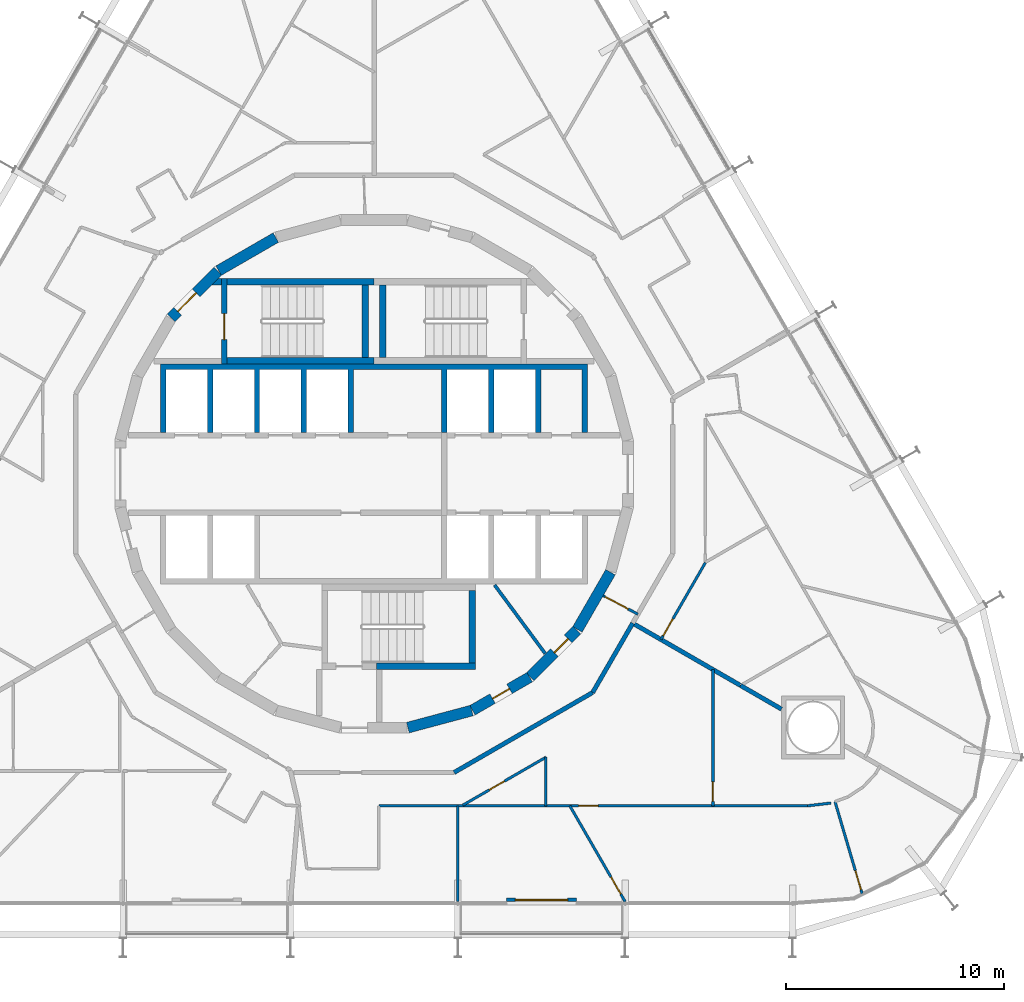
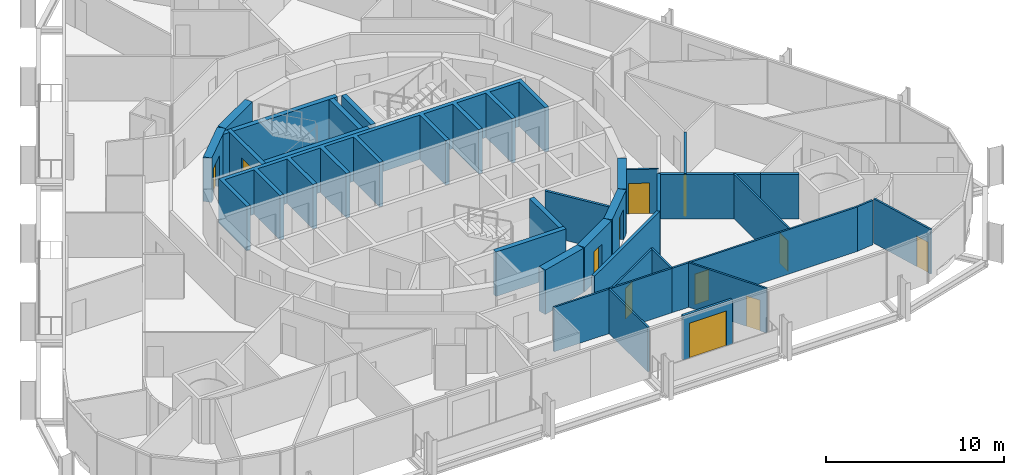
# One storey, part 15 of 20: 32 walls, 12 doors, 12 openings.
"""IFC4 building model written with IfcOpenShell, lengths in metres."""

from ifc_helpers import new_model, si_unit, direction, frame, frame_2d, origin, place, context, subcontext, project, spatial, polyline, rectangle, outline, extrude, material, layer, layer_set, type_object, element, fill, save


model = new_model("IFC4")

# Units and contexts
model_context = context("Model", 3, precision=1e-05, world=origin(), true_north=direction((0.0, 1.0)))
body_context = subcontext(model_context, "Body", "Model", "MODEL_VIEW")
ifc_project = project(units=[si_unit("LENGTHUNIT", "METRE"), si_unit("AREAUNIT", "SQUARE_METRE"), si_unit("VOLUMEUNIT", "CUBIC_METRE"), si_unit("PLANEANGLEUNIT", "RADIAN"), si_unit("MASSUNIT", "GRAM", prefix="KILO")], contexts=[model_context])

# Site, building, storey
site_placement = place(None, origin())
site = spatial("IfcSite", under=ifc_project, at=site_placement, CompositionType="ELEMENT")
building_placement = place(site_placement, origin())
building = spatial("IfcBuilding", under=site, at=building_placement, Name="Spindle Arch Residences", CompositionType="ELEMENT")
storey_placement = place(building_placement, frame((0.0, 0.0, 66.39990234375)))
storey = spatial("IfcBuildingStorey", under=building, at=storey_placement, Name="L15", CompositionType="ELEMENT", Elevation=66.39990234375)

# Wall
ifc_material_1 = material(Name="Concrete C50/60", Category="concrete")
ifc_layer_1 = layer(ifc_material_1, 0.5)
ifc_layer_set_1 = layer_set([ifc_layer_1], Name="Core outline wall 500")
wall_type_1 = type_object("IfcWallType", Name="Core outline wall 500", PredefinedType="SHEAR", material=ifc_layer_set_1)
wall_1_placement = place(storey_placement, frame((1.5498046875, -11.642822265625, 0.0), z_axis=(0.0, 0.0, 1.0), x_axis=(0.965948410781, 0.258734743916, 0.0)))
element("IfcWall", 1, at=wall_1_placement, inside=storey, type_object=wall_type_1, Name="Core outline wall 1", PredefinedType="SHEAR", context=body_context, shape_type="SweptSolid", body=[
    extrude(rectangle(XDim=3.03271484375, YDim=0.5, at=frame_2d((1.516357421875, 0.0))), origin(), (0.0, 0.0, 1.0), 3.050048828125),
])

# Wall, opening, door
wall_2_placement = place(storey_placement, frame((4.510498046875, -10.84521484375, 0.0), z_axis=(0.0, 0.0, 1.0), x_axis=(0.865975092491, 0.500087131594, 0.0)))
wall_2 = element("IfcWall", 2, at=wall_2_placement, inside=storey, type_object=wall_type_1, Name="Core outline wall 2", PredefinedType="SHEAR", context=body_context, shape_type="SweptSolid", body=[
    extrude(rectangle(XDim=3.03271484375, YDim=0.5, at=frame_2d((1.516357421875, 0.0))), origin(), (0.0, 0.0, 1.0), 3.050048828125),
])
opening_1_placement = place(wall_2_placement, frame((1.06640625, 0.0, 0.0)))
opening_1 = element("IfcOpeningElement", 3, at=opening_1_placement, cuts=wall_2, Name="Opening R1C0-WD06", PredefinedType="OPENING", context=body_context, shape_type="SweptSolid", body=[
    extrude(rectangle(XDim=0.89990234375, YDim=2.10009765625, at=frame_2d((0.449951171875, 1.050048828125))), frame((0.0, 0.260009765625, 0.0), z_axis=(0.0, -1.0, 0.0), x_axis=(1.0, 0.0, 0.0)), (0.0, 0.0, 1.0), 0.52001953125),
])
ifc_material_2 = material(Name="Steel, fire-resisting door", Category="steel")
door_type_1 = type_object("IfcDoorType", Name="Service room door 900x2100", OperationType="SINGLE_SWING_LEFT", PredefinedType="DOOR", material=ifc_material_2)
door_1_placement = place(opening_1_placement, origin())
door_1 = element("IfcDoor", 4, at=door_1_placement, inside=storey, type_object=door_type_1, Name="Service room door R1C0-WD06", OperationType="SINGLE_SWING_LEFT", OverallHeight=2.10009765625, OverallWidth=0.89990234375, PredefinedType="DOOR", context=body_context, shape_type="SweptSolid", body=[
    extrude(rectangle(XDim=0.89990234375, YDim=2.10009765625, at=frame_2d((0.449951171875, 1.050048828125))), frame((0.0, 0.02490234375, 0.0), z_axis=(0.0, -1.0, 0.0), x_axis=(1.0, 0.0, 0.0)), (0.0, 0.0, 1.0), 0.050048828125),
])
fill(opening_1, door_1)

wall_3_placement = place(storey_placement, frame((7.163818359375, -9.30810546875, 0.0), z_axis=(0.0, 0.0, 1.0), x_axis=(0.707106781187, 0.707106781187, 0.0)))
wall_3 = element("IfcWall", 5, at=wall_3_placement, inside=storey, type_object=wall_type_1, Name="Core outline wall 3", PredefinedType="SHEAR", context=body_context, shape_type="SweptSolid", body=[
    extrude(rectangle(XDim=3.032470703125, YDim=0.5, at=frame_2d((1.51611328125, 0.0))), origin(), (0.0, 0.0, 1.0), 3.050048828125),
])
opening_2_placement = place(wall_3_placement, frame((1.56640625, 0.0, 0.0)))
opening_2 = element("IfcOpeningElement", 6, at=opening_2_placement, cuts=wall_3, Name="Opening R1C0-WD07", PredefinedType="OPENING", context=body_context, shape_type="SweptSolid", body=[
    extrude(rectangle(XDim=0.89990234375, YDim=2.10009765625, at=frame_2d((0.449951171875, 1.050048828125))), frame((0.0, 0.260009765625, 0.0), z_axis=(0.0, -1.0, 0.0), x_axis=(1.0, 0.0, 0.0)), (0.0, 0.0, 1.0), 0.52001953125),
])
door_2_placement = place(opening_2_placement, origin())
door_2 = element("IfcDoor", 7, at=door_2_placement, inside=storey, type_object=door_type_1, Name="Service room door R1C0-WD07", OperationType="SINGLE_SWING_RIGHT", OverallHeight=2.10009765625, OverallWidth=0.89990234375, PredefinedType="DOOR", context=body_context, shape_type="SweptSolid", body=[
    extrude(rectangle(XDim=0.89990234375, YDim=2.10009765625, at=frame_2d((0.449951171875, 1.050048828125))), frame((0.0, 0.02490234375, 0.0), z_axis=(0.0, -1.0, 0.0), x_axis=(1.0, 0.0, 0.0)), (0.0, 0.0, 1.0), 0.050048828125),
])
fill(opening_2, door_2)

# Walls
for number, where, z_axis, x_axis, name in (
    (8, (9.32861328125, -7.13671875, 0.0), (0.0, 0.0, 1.0), (0.500087131594, 0.865975092491, 0.0), "Core outline wall 4"),
    (9, (-4.510498046875, 10.84521484375, 0.0), (0.0, 0.0, 1.0), (-0.865975092491, -0.500087131594, 0.0), "Core outline wall 14"),
):
    element("IfcWall", number, at=place(storey_placement, frame(where, z_axis=z_axis, x_axis=x_axis)), inside=storey, type_object=wall_type_1, Name=name, PredefinedType="SHEAR", context=body_context, shape_type="SweptSolid", body=[
        extrude(rectangle(XDim=3.03271484375, YDim=0.5, at=frame_2d((1.516357421875, 0.0))), origin(), (0.0, 0.0, 1.0), 3.050048828125),
    ])

# Wall, opening, door
wall_4_placement = place(storey_placement, frame((-7.163818359375, 9.30810546875, 0.0), z_axis=(0.0, 0.0, 1.0), x_axis=(-0.707106781187, -0.707106781187, 0.0)))
wall_4 = element("IfcWall", 10, at=wall_4_placement, inside=storey, type_object=wall_type_1, Name="Core outline wall 15", PredefinedType="SHEAR", context=body_context, shape_type="SweptSolid", body=[
    extrude(rectangle(XDim=3.032470703125, YDim=0.5, at=frame_2d((1.51611328125, 0.0))), origin(), (0.0, 0.0, 1.0), 3.050048828125),
])
opening_3_placement = place(wall_4_placement, frame((1.416259765625, 0.0, 0.0)))
opening_3 = element("IfcOpeningElement", 11, at=opening_3_placement, cuts=wall_4, Name="Opening R1C0-AD02", PredefinedType="OPENING", context=body_context, shape_type="SweptSolid", body=[
    extrude(rectangle(XDim=1.199951171875, YDim=2.10009765625, at=frame_2d((0.60009765625, 1.050048828125))), frame((0.0, 0.260009765625, 0.0), z_axis=(0.0, -1.0, 0.0), x_axis=(1.0, 0.0, 0.0)), (0.0, 0.0, 1.0), 0.52001953125),
])
ifc_material_3 = material(Name="Steel, fire-resisting door", Category="steel")
door_type_2 = type_object("IfcDoorType", Name="Stair airlock door 1200x2100", OperationType="SINGLE_SWING_LEFT", PredefinedType="DOOR", material=ifc_material_3)
door_3_placement = place(opening_3_placement, origin())
door_3 = element("IfcDoor", 12, at=door_3_placement, inside=storey, type_object=door_type_2, Name="Stair airlock door R1C0-AD02", OperationType="SINGLE_SWING_RIGHT", OverallHeight=2.10009765625, OverallWidth=1.199951171875, PredefinedType="DOOR", context=body_context, shape_type="SweptSolid", body=[
    extrude(rectangle(XDim=1.199951171875, YDim=2.10009765625, at=frame_2d((0.60009765625, 1.050048828125))), frame((0.0, 0.02490234375, 0.0), z_axis=(0.0, -1.0, 0.0), x_axis=(1.0, 0.0, 0.0)), (0.0, 0.0, 1.0), 0.050048828125),
])
fill(opening_3, door_3)

ifc_material_4 = material(Name="Plasterboard on steel studs", Category="steel")
ifc_layer_2 = layer(ifc_material_4, 0.1201171875)
ifc_layer_set_2 = layer_set([ifc_layer_2], Name="Corridor division wall 120")
wall_type_2 = type_object("IfcWallType", Name="Corridor division wall 120", PredefinedType="PARTITIONING", material=ifc_layer_set_2)
wall_5_placement = place(storey_placement, frame((10.510986328125, -5.5888671875, 0.0), z_axis=(0.0, 0.0, 1.0), x_axis=(0.88294043061, -0.469485032769, 0.0)))
wall_5 = element("IfcWall", 13, at=wall_5_placement, inside=storey, type_object=wall_type_2, Name="Corridor division wall R1C0-W002", PredefinedType="PARTITIONING", context=body_context, shape_type="SweptSolid", body=[
    extrude(rectangle(XDim=1.803955078125, YDim=0.1201171875, at=frame_2d((0.90185546875, 0.0))), origin(), (0.0, 0.0, 1.0), 3.050048828125),
])
opening_4_placement = place(wall_5_placement, frame((0.10009765625, 0.0, 0.0)))
opening_4 = element("IfcOpeningElement", 14, at=opening_4_placement, cuts=wall_5, Name="Opening R1C0-CD02", PredefinedType="OPENING", context=body_context, shape_type="SweptSolid", body=[
    extrude(rectangle(XDim=1.199951171875, YDim=2.10009765625, at=frame_2d((0.60009765625, 1.050048828125))), frame((0.0, 0.070068359375, 0.0), z_axis=(0.0, -1.0, 0.0), x_axis=(1.0, 0.0, 0.0)), (0.0, 0.0, 1.0), 0.14013671875),
])
ifc_material_5 = material(Name="Steel, fire-resisting door", Category="steel")
door_type_3 = type_object("IfcDoorType", Name="Corridor division door 1200x2100", OperationType="NOTDEFINED", PredefinedType="DOOR", material=ifc_material_5)
door_4_placement = place(opening_4_placement, origin())
door_4 = element("IfcDoor", 15, at=door_4_placement, inside=storey, type_object=door_type_3, Name="Corridor division door R1C0-CD02", OperationType="DOUBLE_DOOR_SINGLE_SWING", OverallHeight=2.10009765625, OverallWidth=1.199951171875, PredefinedType="DOOR", context=body_context, shape_type="SweptSolid", body=[
    extrude(rectangle(XDim=1.199951171875, YDim=2.10009765625, at=frame_2d((0.60009765625, 1.050048828125))), frame((0.0, 0.02490234375, 0.0), z_axis=(0.0, -1.0, 0.0), x_axis=(1.0, 0.0, 0.0)), (0.0, 0.0, 1.0), 0.050048828125),
])
fill(opening_4, door_4)

# Walls
ifc_material_6 = material(Name="Calcium silicate block, plastered")
ifc_layer_3 = layer(ifc_material_6, 0.199951171875)
ifc_layer_set_3 = layer_set([ifc_layer_3], Name="Corridor wall 200")
wall_type_3 = type_object("IfcWallType", Name="Corridor wall 200", PredefinedType="STANDARD", material=ifc_layer_set_3)
wall_6_placement = place(storey_placement, frame((3.6708984375, -13.699951171875, 0.0), z_axis=(0.0, 0.0, 1.0), x_axis=(0.866024439905, 0.500001669485, 0.0)))
element("IfcWall", 16, at=wall_6_placement, inside=storey, type_object=wall_type_3, Name="Corridor wall R1C0-W015", PredefinedType="STANDARD", context=body_context, shape_type="SweptSolid", body=[
    extrude(rectangle(XDim=7.341796875, YDim=0.199951171875, at=frame_2d((3.6708984375, 0.0))), origin(), (0.0, 0.0, 1.0), 3.050048828125),
])
wall_7_placement = place(storey_placement, frame((10.029052734375, -10.029052734375, 0.0), z_axis=(0.0, 0.0, 1.0), x_axis=(0.50001606911, 0.866016126081, 0.0)))
element("IfcWall", 17, at=wall_7_placement, inside=storey, type_object=wall_type_3, Name="Corridor wall R1C0-W016", PredefinedType="STANDARD", context=body_context, shape_type="SweptSolid", body=[
    extrude(rectangle(XDim=3.6708984375, YDim=0.199951171875, at=frame_2d((1.83544921875, 0.0))), origin(), (0.0, 0.0, 1.0), 3.050048828125),
])
ifc_material_7 = material(Name="Plasterboard on steel studs", Category="steel")
ifc_layer_4 = layer(ifc_material_7, 0.1201171875)
ifc_layer_set_4 = layer_set([ifc_layer_4], Name="Flat partition 120")
wall_type_4 = type_object("IfcWallType", Name="Flat partition 120", PredefinedType="PARTITIONING", material=ifc_layer_set_4)
wall_8_placement = place(storey_placement, frame((0.21484375, -15.22998046875, 0.0), z_axis=(0.0, 0.0, 1.0), x_axis=(1.0, 0.0, 0.0)))
element("IfcWall", 18, at=wall_8_placement, inside=storey, type_object=wall_type_4, Name="Flat partition R1C0-W099", PredefinedType="PARTITIONING", context=body_context, shape_type="SweptSolid", body=[
    extrude(rectangle(XDim=7.66650390625, YDim=0.1201171875, at=frame_2d((3.833251953125, 0.0))), origin(), (0.0, 0.0, 1.0), 3.050048828125),
])

# Wall, opening, door
wall_9_placement = place(storey_placement, frame((7.88134765625, -15.22998046875, 0.0), z_axis=(0.0, 0.0, 1.0), x_axis=(1.0, 0.0, 0.0)))
wall_9 = element("IfcWall", 19, at=wall_9_placement, inside=storey, type_object=wall_type_4, Name="Flat partition R1C0-W100", PredefinedType="PARTITIONING", context=body_context, shape_type="SweptSolid", body=[
    extrude(rectangle(XDim=12.006103515625, YDim=0.1201171875, at=frame_2d((6.0029296875, 0.0))), origin(), (0.0, 0.0, 1.0), 3.050048828125),
])
opening_5_placement = place(wall_9_placement, frame((1.49853515625, 0.0, 0.0)))
opening_5 = element("IfcOpeningElement", 20, at=opening_5_placement, cuts=wall_9, Name="Opening R1C0-ID25", PredefinedType="OPENING", context=body_context, shape_type="SweptSolid", body=[
    extrude(rectangle(XDim=0.89990234375, YDim=2.10009765625, at=frame_2d((0.449951171875, 1.050048828125))), frame((0.0, 0.070068359375, 0.0), z_axis=(0.0, -1.0, 0.0), x_axis=(1.0, 0.0, 0.0)), (0.0, 0.0, 1.0), 0.14013671875),
])
ifc_material_8 = material(Name="Timber door set", Category="wood")
door_type_4 = type_object("IfcDoorType", Name="Room door 900x2100", OperationType="NOTDEFINED", PredefinedType="DOOR", material=ifc_material_8)
door_5_placement = place(opening_5_placement, origin())
door_5 = element("IfcDoor", 21, at=door_5_placement, inside=storey, type_object=door_type_4, Name="Room door R1C0-ID25", OperationType="SINGLE_SWING_RIGHT", OverallHeight=2.10009765625, OverallWidth=0.89990234375, PredefinedType="DOOR", context=body_context, shape_type="SweptSolid", body=[
    extrude(rectangle(XDim=0.89990234375, YDim=2.10009765625, at=frame_2d((0.449951171875, 1.050048828125))), frame((0.0, 0.02490234375, 0.0), z_axis=(0.0, -1.0, 0.0), x_axis=(1.0, 0.0, 0.0)), (0.0, 0.0, 1.0), 0.050048828125),
])
fill(opening_5, door_5)

wall_10_placement = place(storey_placement, frame((4.07275390625, -15.199951171875, 0.0), z_axis=(0.0, 0.0, 1.0), x_axis=(0.866041369968, 0.499972344739, 0.0)))
wall_10 = element("IfcWall", 22, at=wall_10_placement, inside=storey, type_object=wall_type_4, Name="Flat partition R1C0-W101", PredefinedType="PARTITIONING", context=body_context, shape_type="SweptSolid", body=[
    extrude(rectangle(XDim=4.397705078125, YDim=0.1201171875, at=frame_2d((2.19873046875, 0.0))), origin(), (0.0, 0.0, 1.0), 3.050048828125),
])
opening_6_placement = place(wall_10_placement, frame((1.39990234375, 0.0, 0.0)))
opening_6 = element("IfcOpeningElement", 23, at=opening_6_placement, cuts=wall_10, Name="Opening R1C0-BD06", PredefinedType="OPENING", context=body_context, shape_type="SweptSolid", body=[
    extrude(rectangle(XDim=0.800048828125, YDim=2.10009765625, at=frame_2d((0.39990234375, 1.050048828125))), frame((0.0, 0.070068359375, 0.0), z_axis=(0.0, -1.0, 0.0), x_axis=(1.0, 0.0, 0.0)), (0.0, 0.0, 1.0), 0.14013671875),
])
ifc_material_9 = material(Name="Timber door set", Category="wood")
door_type_5 = type_object("IfcDoorType", Name="Bathroom door 800x2100", OperationType="NOTDEFINED", PredefinedType="DOOR", material=ifc_material_9)
door_6_placement = place(opening_6_placement, origin())
door_6 = element("IfcDoor", 24, at=door_6_placement, inside=storey, type_object=door_type_5, Name="Bathroom door R1C0-BD06", OperationType="SINGLE_SWING_RIGHT", OverallHeight=2.10009765625, OverallWidth=0.800048828125, PredefinedType="DOOR", context=body_context, shape_type="SweptSolid", body=[
    extrude(rectangle(XDim=0.800048828125, YDim=2.10009765625, at=frame_2d((0.39990234375, 1.050048828125))), frame((0.0, 0.02490234375, 0.0), z_axis=(0.0, -1.0, 0.0), x_axis=(1.0, 0.0, 0.0)), (0.0, 0.0, 1.0), 0.050048828125),
])
fill(opening_6, door_6)

# Wall
wall_11_placement = place(storey_placement, frame((7.88134765625, -13.001220703125, 0.0), z_axis=(0.0, 0.0, 1.0), x_axis=(0.0, -1.0, 0.0)))
element("IfcWall", 25, at=wall_11_placement, inside=storey, type_object=wall_type_4, Name="Flat partition R1C0-W102", PredefinedType="PARTITIONING", context=body_context, shape_type="SweptSolid", body=[
    extrude(rectangle(XDim=2.228759765625, YDim=0.1201171875, at=frame_2d((1.1142578125, 0.0))), origin(), (0.0, 0.0, 1.0), 3.050048828125),
])

# Wall, opening, door
wall_12_placement = place(storey_placement, frame((15.5478515625, -15.22998046875, 0.0), z_axis=(0.0, 0.0, 1.0), x_axis=(0.0, 1.0, 0.0)))
wall_12 = element("IfcWall", 26, at=wall_12_placement, inside=storey, type_object=wall_type_4, Name="Flat partition R1C0-W103", PredefinedType="PARTITIONING", context=body_context, shape_type="SweptSolid", body=[
    extrude(rectangle(XDim=6.25341796875, YDim=0.1201171875, at=frame_2d((3.126708984375, 0.0))), origin(), (0.0, 0.0, 1.0), 3.050048828125),
])
opening_7_placement = place(wall_12_placement, frame((0.199951171875, 0.0, 0.0)))
opening_7 = element("IfcOpeningElement", 27, at=opening_7_placement, cuts=wall_12, Name="Opening R1C0-ID26", PredefinedType="OPENING", context=body_context, shape_type="SweptSolid", body=[
    extrude(rectangle(XDim=0.89990234375, YDim=2.10009765625, at=frame_2d((0.449951171875, 1.050048828125))), frame((0.0, 0.070068359375, 0.0), z_axis=(0.0, -1.0, 0.0), x_axis=(1.0, 0.0, 0.0)), (0.0, 0.0, 1.0), 0.14013671875),
])
door_7_placement = place(opening_7_placement, origin())
door_7 = element("IfcDoor", 28, at=door_7_placement, inside=storey, type_object=door_type_4, Name="Room door R1C0-ID26", OperationType="SINGLE_SWING_RIGHT", OverallHeight=2.10009765625, OverallWidth=0.89990234375, PredefinedType="DOOR", context=body_context, shape_type="SweptSolid", body=[
    extrude(rectangle(XDim=0.89990234375, YDim=2.10009765625, at=frame_2d((0.449951171875, 1.050048828125))), frame((0.0, 0.02490234375, 0.0), z_axis=(0.0, -1.0, 0.0), x_axis=(1.0, 0.0, 0.0)), (0.0, 0.0, 1.0), 0.050048828125),
])
fill(opening_7, door_7)

# Wall
wall_13_placement = place(storey_placement, frame((3.840087890625, -19.6298828125, 0.0), z_axis=(0.0, 0.0, 1.0), x_axis=(0.0, 1.0, 0.0)))
element("IfcWall", 29, at=wall_13_placement, inside=storey, type_object=wall_type_4, Name="Flat partition R1C0-W104", PredefinedType="PARTITIONING", context=body_context, shape_type="SweptSolid", body=[
    extrude(rectangle(XDim=4.39990234375, YDim=0.1201171875, at=frame_2d((2.199951171875, 0.0))), origin(), (0.0, 0.0, 1.0), 3.050048828125),
])

# Wall, opening, door
wall_14_placement = place(storey_placement, frame((11.52001953125, -19.6298828125, 0.0), z_axis=(0.0, 0.0, 1.0), x_axis=(-0.499999763888, 0.866025540104, 0.0)))
wall_14 = element("IfcWall", 30, at=wall_14_placement, inside=storey, type_object=wall_type_4, Name="Flat partition R1C0-W105", PredefinedType="PARTITIONING", context=body_context, shape_type="SweptSolid", body=[
    extrude(rectangle(XDim=5.08056640625, YDim=0.1201171875, at=frame_2d((2.540283203125, 0.0))), origin(), (0.0, 0.0, 1.0), 3.050048828125),
])
opening_8_placement = place(wall_14_placement, frame((0.39990234375, 0.0, 0.0)))
opening_8 = element("IfcOpeningElement", 31, at=opening_8_placement, cuts=wall_14, Name="Opening R1C0-ID27", PredefinedType="OPENING", context=body_context, shape_type="SweptSolid", body=[
    extrude(rectangle(XDim=0.89990234375, YDim=2.10009765625, at=frame_2d((0.449951171875, 1.050048828125))), frame((0.0, 0.070068359375, 0.0), z_axis=(0.0, -1.0, 0.0), x_axis=(1.0, 0.0, 0.0)), (0.0, 0.0, 1.0), 0.14013671875),
])
door_8_placement = place(opening_8_placement, origin())
door_8 = element("IfcDoor", 32, at=door_8_placement, inside=storey, type_object=door_type_4, Name="Room door R1C0-ID27", OperationType="SINGLE_SWING_LEFT", OverallHeight=2.10009765625, OverallWidth=0.89990234375, PredefinedType="DOOR", context=body_context, shape_type="SweptSolid", body=[
    extrude(rectangle(XDim=0.89990234375, YDim=2.10009765625, at=frame_2d((0.449951171875, 1.050048828125))), frame((0.0, 0.02490234375, 0.0), z_axis=(0.0, -1.0, 0.0), x_axis=(1.0, 0.0, 0.0)), (0.0, 0.0, 1.0), 0.050048828125),
])
fill(opening_8, door_8)

# Wall
wall_15_placement = place(storey_placement, frame((20.966796875, -15.103759765625, 0.0), z_axis=(0.0, 0.0, 1.0), x_axis=(-0.993231641151, -0.116150363826, 0.0)))
element("IfcWall", 33, at=wall_15_placement, inside=storey, type_object=wall_type_4, Name="Flat partition R1C0-W106", PredefinedType="PARTITIONING", context=body_context, shape_type="SweptSolid", body=[
    extrude(rectangle(XDim=1.086669921875, YDim=0.1201171875, at=frame_2d((0.54345703125, 0.0))), origin(), (0.0, 0.0, 1.0), 3.050048828125),
])

# Wall, opening, door
wall_16_placement = place(storey_placement, frame((22.395751953125, -19.26611328125, 0.0), z_axis=(0.0, 0.0, 1.0), x_axis=(-0.282873823334, 0.959157130022, 0.0)))
wall_16 = element("IfcWall", 34, at=wall_16_placement, inside=storey, type_object=wall_type_4, Name="Flat partition R1C0-W107", PredefinedType="PARTITIONING", context=body_context, shape_type="SweptSolid", body=[
    extrude(rectangle(XDim=4.40869140625, YDim=0.1201171875, at=frame_2d((2.204345703125, 0.0))), origin(), (0.0, 0.0, 1.0), 3.050048828125),
])
opening_9_placement = place(wall_16_placement, frame((0.199951171875, 0.0, 0.0)))
opening_9 = element("IfcOpeningElement", 35, at=opening_9_placement, cuts=wall_16, Name="Opening R1C0-ID28", PredefinedType="OPENING", context=body_context, shape_type="SweptSolid", body=[
    extrude(rectangle(XDim=0.89990234375, YDim=2.10009765625, at=frame_2d((0.449951171875, 1.050048828125))), frame((0.0, 0.070068359375, 0.0), z_axis=(0.0, -1.0, 0.0), x_axis=(1.0, 0.0, 0.0)), (0.0, 0.0, 1.0), 0.14013671875),
])
door_9_placement = place(opening_9_placement, origin())
door_9 = element("IfcDoor", 36, at=door_9_placement, inside=storey, type_object=door_type_4, Name="Room door R1C0-ID28", OperationType="SINGLE_SWING_RIGHT", OverallHeight=2.10009765625, OverallWidth=0.89990234375, PredefinedType="DOOR", context=body_context, shape_type="SweptSolid", body=[
    extrude(rectangle(XDim=0.89990234375, YDim=2.10009765625, at=frame_2d((0.449951171875, 1.050048828125))), frame((0.0, 0.02490234375, 0.0), z_axis=(0.0, -1.0, 0.0), x_axis=(1.0, 0.0, 0.0)), (0.0, 0.0, 1.0), 0.050048828125),
])
fill(opening_9, door_9)

wall_17_placement = place(storey_placement, frame((13.16357421875, -7.60009765625, 0.0), z_axis=(0.0, 0.0, 1.0), x_axis=(0.499974973053, 0.866039852617, 0.0)))
wall_17 = element("IfcWall", 37, at=wall_17_placement, inside=storey, type_object=wall_type_4, Name="Flat partition R1C0-W114", PredefinedType="PARTITIONING", context=body_context, shape_type="SweptSolid", body=[
    extrude(rectangle(XDim=4.072998046875, YDim=0.1201171875, at=frame_2d((2.03662109375, 0.0))), origin(), (0.0, 0.0, 1.0), 3.050048828125),
])
opening_10_placement = place(wall_17_placement, frame((0.199951171875, 0.0, 0.0)))
opening_10 = element("IfcOpeningElement", 38, at=opening_10_placement, cuts=wall_17, Name="Opening R1C0-ID30", PredefinedType="OPENING", context=body_context, shape_type="SweptSolid", body=[
    extrude(rectangle(XDim=0.89990234375, YDim=2.10009765625, at=frame_2d((0.449951171875, 1.050048828125))), frame((0.0, 0.070068359375, 0.0), z_axis=(0.0, -1.0, 0.0), x_axis=(1.0, 0.0, 0.0)), (0.0, 0.0, 1.0), 0.14013671875),
])
door_10_placement = place(opening_10_placement, origin())
door_10 = element("IfcDoor", 39, at=door_10_placement, inside=storey, type_object=door_type_4, Name="Room door R1C0-ID30", OperationType="SINGLE_SWING_LEFT", OverallHeight=2.10009765625, OverallWidth=0.89990234375, PredefinedType="DOOR", context=body_context, shape_type="SweptSolid", body=[
    extrude(rectangle(XDim=0.89990234375, YDim=2.10009765625, at=frame_2d((0.449951171875, 1.050048828125))), frame((0.0, 0.02490234375, 0.0), z_axis=(0.0, -1.0, 0.0), x_axis=(1.0, 0.0, 0.0)), (0.0, 0.0, 1.0), 0.050048828125),
])
fill(opening_10, door_10)

# Walls
ifc_material_10 = material(Name="Calcium silicate block, plastered")
ifc_layer_5 = layer(ifc_material_10, 0.199951171875)
ifc_layer_set_5 = layer_set([ifc_layer_5], Name="Flat party wall 200")
wall_type_5 = type_object("IfcWallType", Name="Flat party wall 200", PredefinedType="STANDARD", material=ifc_layer_set_5)
wall_18_placement = place(storey_placement, frame((16.816650390625, -9.708984375, 0.0), z_axis=(0.0, 0.0, 1.0), x_axis=(-0.86604338933, 0.499968846828, 0.0)))
element("IfcWall", 40, at=wall_18_placement, inside=storey, type_object=wall_type_5, Name="Flat party wall R1C0-W029", PredefinedType="STANDARD", context=body_context, shape_type="SweptSolid", body=[
    extrude(rectangle(XDim=5.718017578125, YDim=0.199951171875, at=frame_2d((2.85888671875, 0.0))), origin(), (0.0, 0.0, 1.0), 3.050048828125),
])
wall_19_placement = place(storey_placement, frame((18.693603515625, -10.792724609375, 0.0), z_axis=(0.0, 0.0, 1.0), x_axis=(-0.866009251978, 0.500027974705, 0.0)))
element("IfcWall", 41, at=wall_19_placement, inside=storey, type_object=wall_type_5, Name="Flat party wall R1C0-W031", PredefinedType="STANDARD", context=body_context, shape_type="SweptSolid", body=[
    extrude(rectangle(XDim=2.16748046875, YDim=0.199951171875, at=frame_2d((1.083740234375, 0.0))), origin(), (0.0, 0.0, 1.0), 3.050048828125),
])

# Wall, opening, door
ifc_material_11 = material(Name="Non-combustible mineral wool insulated aluminium faced external wall (K0)", Category="aluminium")
ifc_layer_6 = layer(ifc_material_11, 0.159912109375)
ifc_layer_set_6 = layer_set([ifc_layer_6], Name="Insulated external wall panel 160")
wall_type_6 = type_object("IfcWallType", Name="Insulated external wall panel 160", PredefinedType="STANDARD", material=ifc_layer_set_6)
wall_20_placement = place(storey_placement, frame((6.080078125, -19.5498046875, 0.0), z_axis=(0.0, 0.0, 1.0), x_axis=(1.0, 0.0, 0.0)))
wall_20 = element("IfcWall", 42, at=wall_20_placement, inside=storey, type_object=wall_type_6, Name="External wall L15 bay 1", PredefinedType="STANDARD", context=body_context, shape_type="SweptSolid", body=[
    extrude(rectangle(XDim=3.199951171875, YDim=0.159912109375, at=frame_2d((1.60009765625, 0.0))), origin(), (0.0, 0.0, 1.0), 3.050048828125),
])
opening_11_placement = place(wall_20_placement, frame((0.39990234375, 0.0, 0.0)))
opening_11 = element("IfcOpeningElement", 43, at=opening_11_placement, cuts=wall_20, Name="Opening BD01", PredefinedType="OPENING", context=body_context, shape_type="SweptSolid", body=[
    extrude(rectangle(XDim=2.39990234375, YDim=2.39990234375, at=frame_2d((1.199951171875, 1.199951171875))), frame((0.0, 0.08984375, 0.0), z_axis=(0.0, -1.0, 0.0), x_axis=(1.0, 0.0, 0.0)), (0.0, 0.0, 1.0), 0.179931640625),
])
ifc_material_12 = material(Name="Bronze aluminium frame, tinted double glazing", Category="aluminium")
door_type_6 = type_object("IfcDoorType", Name="Sliding glazed balcony door 2400x2400", OperationType="DOUBLE_DOOR_SLIDING", PredefinedType="DOOR", material=ifc_material_12)
door_11_placement = place(opening_11_placement, origin())
door_11 = element("IfcDoor", 44, at=door_11_placement, inside=storey, type_object=door_type_6, Name="Balcony door BD01", OperationType="DOUBLE_DOOR_SLIDING", OverallHeight=2.39990234375, OverallWidth=2.39990234375, PredefinedType="DOOR", context=body_context, shape_type="SweptSolid", body=[
    extrude(rectangle(XDim=2.39990234375, YDim=2.39990234375, at=frame_2d((1.199951171875, 1.199951171875))), frame((0.0, 0.02490234375, 0.0), z_axis=(0.0, -1.0, 0.0), x_axis=(1.0, 0.0, 0.0)), (0.0, 0.0, 1.0), 0.050048828125),
])
fill(opening_11, door_11)

# Walls
ifc_material_13 = material(Name="Concrete C50/60", Category="concrete")
wall_type_7 = type_object("IfcWallType", Name="Lift shaft wall profile", PredefinedType="SHEAR", material=ifc_material_13)
wall_21_placement = place(storey_placement, origin())
element("IfcWall", 45, at=wall_21_placement, inside=storey, type_object=wall_type_7, Name="Lift shaft walls N", PredefinedType="SHEAR", context=body_context, shape_type="SweptSolid", body=[
    extrude(outline(polyline([(-9.550048828125, 4.800048828125), (-7.64990234375, 4.800048828125), (-7.64990234375, 1.89990234375), (-7.39990234375, 1.89990234375), (-7.39990234375, 4.800048828125), (-5.5, 4.800048828125), (-5.5, 1.89990234375), (-5.25, 1.89990234375), (-5.25, 4.800048828125), (-3.35009765625, 4.800048828125), (-3.35009765625, 1.89990234375), (-3.10009765625, 1.89990234375), (-3.10009765625, 4.800048828125), (-1.199951171875, 4.800048828125), (-1.199951171875, 1.89990234375), (-0.949951171875, 1.89990234375), (-0.949951171875, 4.800048828125), (3.10009765625, 4.800048828125), (3.10009765625, 1.89990234375), (3.35009765625, 1.89990234375), (3.35009765625, 4.800048828125), (5.25, 4.800048828125), (5.25, 1.89990234375), (5.5, 1.89990234375), (5.5, 4.800048828125), (7.39990234375, 4.800048828125), (7.39990234375, 1.89990234375), (7.64990234375, 1.89990234375), (7.64990234375, 4.800048828125), (9.550048828125, 4.800048828125), (9.550048828125, 1.89990234375), (9.800048828125, 1.89990234375), (9.800048828125, 4.800048828125), (9.800048828125, 5.050048828125), (-9.800048828125, 5.050048828125), (-9.800048828125, 4.800048828125), (-9.800048828125, 1.89990234375), (-9.550048828125, 1.89990234375), (-9.550048828125, 4.800048828125)])), origin(), (0.0, 0.0, 1.0), 3.050048828125),
])
ifc_material_14 = material(Name="Concrete C25/30", Category="concrete")
ifc_layer_7 = layer(ifc_material_14, 0.14990234375)
ifc_layer_set_7 = layer_set([ifc_layer_7], Name="Service room partition 150")
wall_type_8 = type_object("IfcWallType", Name="Service room partition 150", PredefinedType="PARTITIONING", material=ifc_layer_set_7)
wall_22_placement = place(storey_placement, frame((5.528076171875, -5.098388671875, 0.0), z_axis=(0.0, 0.0, 1.0), x_axis=(0.594034318069, -0.804439698769, 0.0)))
element("IfcWall", 46, at=wall_22_placement, inside=storey, type_object=wall_type_8, Name="Core service room partition", PredefinedType="PARTITIONING", context=body_context, shape_type="SweptSolid", body=[
    extrude(rectangle(XDim=3.90673828125, YDim=0.14990234375, at=frame_2d((1.953369140625, 0.0))), origin(), (0.0, 0.0, 1.0), 3.050048828125),
])
ifc_material_15 = material(Name="Concrete C40/50", Category="concrete")
wall_type_9 = type_object("IfcWallType", Name="Stair airlock wall profile", PredefinedType="SHEAR", material=ifc_material_15)
wall_23_placement = place(storey_placement, origin())
element("IfcWall", 47, at=wall_23_placement, inside=storey, type_object=wall_type_9, Name="Stair ST-2 airlock wall N", PredefinedType="SHEAR", context=body_context, shape_type="SweptSolid", body=[
    extrude(outline(polyline([(-7.148193359375, 8.969970703125), (-7.0, 8.969970703125), (-7.0, 8.669921875), (-7.4482421875, 8.669921875), (-7.148193359375, 8.969970703125)])), origin(), (0.0, 0.0, 1.0), 3.050048828125),
])

# Wall, opening, door
ifc_material_16 = material(Name="Concrete C50/60", Category="concrete")
ifc_layer_8 = layer(ifc_material_16, 0.25)
ifc_layer_set_8 = layer_set([ifc_layer_8], Name="Stair enclosure wall 250")
wall_type_10 = type_object("IfcWallType", Name="Stair enclosure wall 250", PredefinedType="SHEAR", material=ifc_layer_set_8)
wall_24_placement = place(storey_placement, frame((-6.875, 8.969970703125, 0.0), z_axis=(0.0, 0.0, 1.0), x_axis=(0.0, -1.0, 0.0)))
wall_24 = element("IfcWall", 48, at=wall_24_placement, inside=storey, type_object=wall_type_10, Name="Stair ST-2 door wall", PredefinedType="SHEAR", context=body_context, shape_type="SweptSolid", body=[
    extrude(rectangle(XDim=3.919921875, YDim=0.25, at=frame_2d((1.9599609375, 0.0))), origin(), (0.0, 0.0, 1.0), 3.050048828125),
])
opening_12_placement = place(wall_24_placement, frame((1.610107421875, 0.0, 0.0)))
opening_12 = element("IfcOpeningElement", 49, at=opening_12_placement, cuts=wall_24, Name="Opening R1C0-SD02", PredefinedType="OPENING", context=body_context, shape_type="SweptSolid", body=[
    extrude(rectangle(XDim=1.199951171875, YDim=2.10009765625, at=frame_2d((0.60009765625, 1.050048828125))), frame((0.0, 0.135009765625, 0.0), z_axis=(0.0, -1.0, 0.0), x_axis=(1.0, 0.0, 0.0)), (0.0, 0.0, 1.0), 0.27001953125),
])
ifc_material_17 = material(Name="Steel, fire-resisting door", Category="steel")
door_type_7 = type_object("IfcDoorType", Name="Stair door 1200x2100", OperationType="SINGLE_SWING_RIGHT", PredefinedType="DOOR", material=ifc_material_17)
door_12_placement = place(opening_12_placement, origin())
door_12 = element("IfcDoor", 50, at=door_12_placement, inside=storey, type_object=door_type_7, Name="Stair door R1C0-SD02", OperationType="SINGLE_SWING_LEFT", OverallHeight=2.10009765625, OverallWidth=1.199951171875, PredefinedType="DOOR", context=body_context, shape_type="SweptSolid", body=[
    extrude(rectangle(XDim=1.199951171875, YDim=2.10009765625, at=frame_2d((0.60009765625, 1.050048828125))), frame((0.0, 0.02490234375, 0.0), z_axis=(0.0, -1.0, 0.0), x_axis=(1.0, 0.0, 0.0)), (0.0, 0.0, 1.0), 0.050048828125),
])
fill(opening_12, door_12)

# Walls
ifc_material_18 = material(Name="Concrete C50/60", Category="concrete")
ifc_layer_9 = layer(ifc_material_18, 0.300048828125)
ifc_layer_set_9 = layer_set([ifc_layer_9], Name="Stair enclosure wall 300")
wall_type_11 = type_object("IfcWallType", Name="Stair enclosure wall 300", PredefinedType="SHEAR", material=ifc_layer_set_9)
wall_25_placement = place(storey_placement, frame((0.39990234375, 5.35009765625, 0.0), z_axis=(0.0, 0.0, 1.0), x_axis=(0.0, 1.0, 0.0)))
element("IfcWall", 51, at=wall_25_placement, inside=storey, type_object=wall_type_11, Name="Stair ST-1 enclosure wall F", PredefinedType="SHEAR", context=body_context, shape_type="SweptSolid", body=[
    extrude(rectangle(XDim=3.31982421875, YDim=0.300048828125, at=frame_2d((1.659912109375, 0.0))), origin(), (0.0, 0.0, 1.0), 3.050048828125),
])
for number, where, z_axis, x_axis, name in (
    (52, (-6.75, 5.199951171875, 0.0), (0.0, 0.0, 1.0), (1.0, 0.0, 0.0), "Stair ST-2 enclosure wall S"),
    (53, (-6.75, 8.820068359375, 0.0), (0.0, 0.0, 1.0), (1.0, 0.0, 0.0), "Stair ST-2 enclosure wall N"),
):
    element("IfcWall", number, at=place(storey_placement, frame(where, z_axis=z_axis, x_axis=x_axis)), inside=storey, type_object=wall_type_11, Name=name, PredefinedType="SHEAR", context=body_context, shape_type="SweptSolid", body=[
        extrude(rectangle(XDim=6.75, YDim=0.300048828125, at=frame_2d((3.375, 0.0))), origin(), (0.0, 0.0, 1.0), 3.050048828125),
    ])
for number, where, z_axis, x_axis, name in (
    (54, (-0.39990234375, 5.35009765625, 0.0), (0.0, 0.0, 1.0), (0.0, 1.0, 0.0), "Stair ST-2 enclosure wall F"),
    (55, (4.5, -8.669921875, 0.0), (0.0, 0.0, 1.0), (0.0, 1.0, 0.0), "Stair ST-3 enclosure wall E"),
):
    element("IfcWall", number, at=place(storey_placement, frame(where, z_axis=z_axis, x_axis=x_axis)), inside=storey, type_object=wall_type_11, Name=name, PredefinedType="SHEAR", context=body_context, shape_type="SweptSolid", body=[
        extrude(rectangle(XDim=3.31982421875, YDim=0.300048828125, at=frame_2d((1.659912109375, 0.0))), origin(), (0.0, 0.0, 1.0), 3.050048828125),
    ])
wall_26_placement = place(storey_placement, frame((0.10009765625, -8.820068359375, 0.0), z_axis=(0.0, 0.0, 1.0), x_axis=(1.0, 0.0, 0.0)))
element("IfcWall", 56, at=wall_26_placement, inside=storey, type_object=wall_type_11, Name="Stair ST-3 enclosure wall S", PredefinedType="SHEAR", context=body_context, shape_type="SweptSolid", body=[
    extrude(rectangle(XDim=4.5498046875, YDim=0.300048828125, at=frame_2d((2.27490234375, 0.0))), origin(), (0.0, 0.0, 1.0), 3.050048828125),
])

save(model, "model.ifc")
